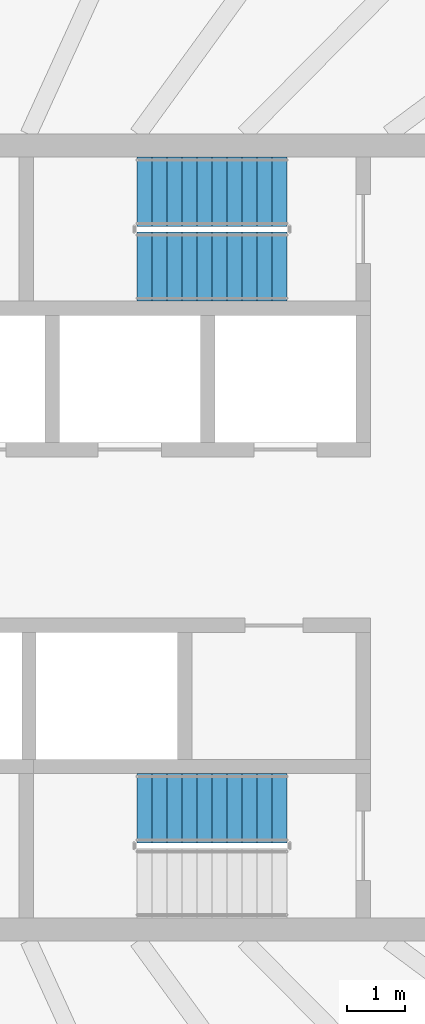
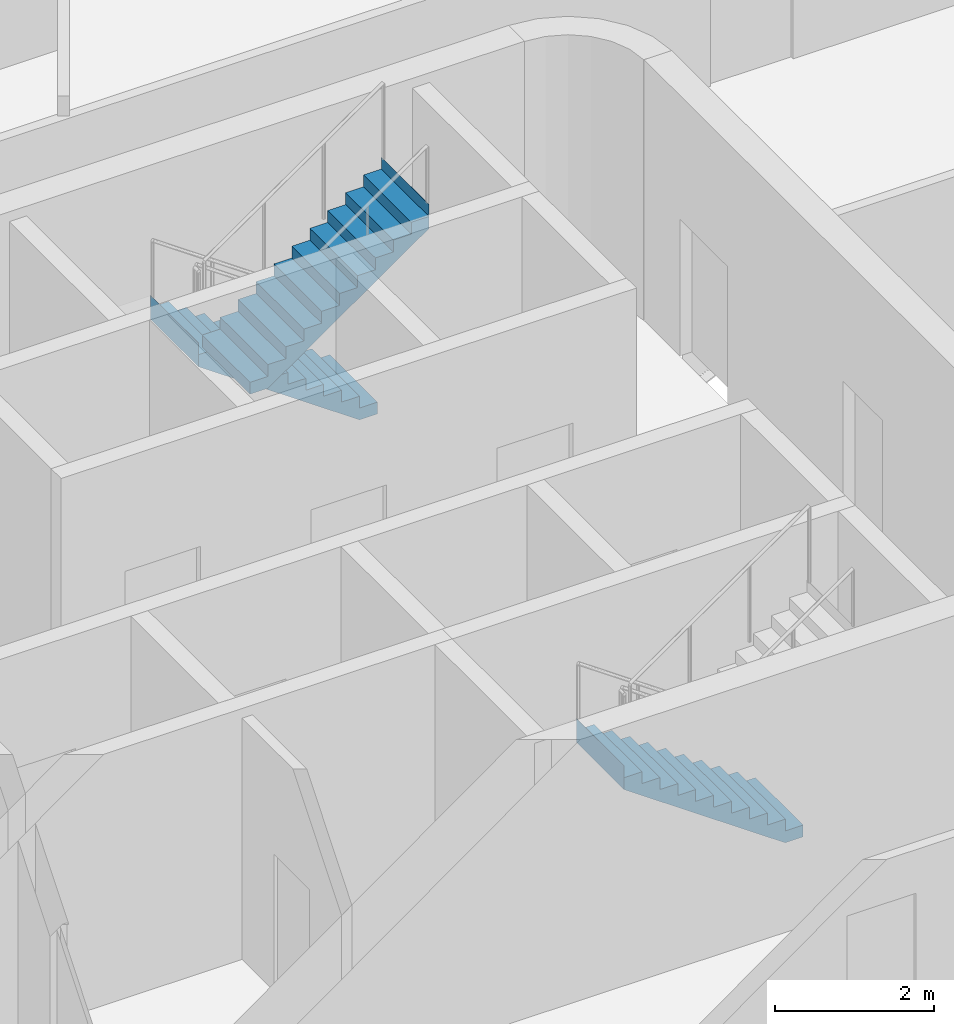
# One storey, part 14 of 19: 3 stair flights, 2 elements without a shape of their own.
"""IFC4 building model written with IfcOpenShell, lengths in metres."""

from ifc_helpers import new_model, si_unit, direction, frame, origin, place, context, subcontext, project, spatial, triangles, material, type_object, element, aggregate, save


model = new_model("IFC4")

# Units and contexts
model_context = context("Model", 3, precision=1e-05, world=origin(), true_north=direction((0.0, 1.0)))
body_context = subcontext(model_context, "Body", "Model", "MODEL_VIEW")
ifc_project = project(units=[si_unit("LENGTHUNIT", "METRE"), si_unit("AREAUNIT", "SQUARE_METRE"), si_unit("VOLUMEUNIT", "CUBIC_METRE"), si_unit("PLANEANGLEUNIT", "RADIAN"), si_unit("MASSUNIT", "GRAM", prefix="KILO")], contexts=[model_context])

# Site, building, storey
site_placement = place(None, origin())
site = spatial("IfcSite", under=ifc_project, at=site_placement, CompositionType="ELEMENT")
building_placement = place(site_placement, origin())
building = spatial("IfcBuilding", under=site, at=building_placement, Name="Sahrelin Media Tower", CompositionType="ELEMENT")
storey_placement = place(building_placement, frame((0.0, 0.0, 241.60009765625)))
storey = spatial("IfcBuildingStorey", under=building, at=storey_placement, Name="L52", CompositionType="ELEMENT", Elevation=241.60009765625)

# Stair, stair flights
ifc_material = material(Name="Concrete C40/50", Category="concrete")
stair_type = type_object("IfcStairType", Name="Exit stair 1200", PredefinedType="HALF_TURN_STAIR", material=ifc_material)
placement = place(storey_placement, origin())
stair_1 = element("IfcStair", 1, at=placement, inside=storey, type_object=stair_type, Name="L52 Exit stair ST3", PredefinedType="HALF_TURN_STAIR")
stair_flight_type = type_object("IfcStairFlightType", Name="Stair flight 1200", PredefinedType="STRAIGHT", material=ifc_material)
stair_flight_1_placement = place(storey_placement, frame((7.675048828125, 6.0, 0.0), z_axis=(0.0, 0.0, 1.0), x_axis=(-1.0, 0.0, 0.0)))
stair_flight_1 = element("IfcStairFlight", 2, at=stair_flight_1_placement, type_object=stair_flight_type, Name="ST3 flight 1", NumberOfRisers=11, NumberOfTreads=10, PredefinedType="STRAIGHT", RiserHeight=0.181818182, TreadLength=0.26, context=body_context, shape_type="Tessellation", body=[
    triangles([(0.261474609375, 0.60009765625, 0.0), (0.261474609375, 0.300048828125, 0.0), (0.261474609375, 0.0, 0.0), (0.261474609375, -0.300048828125, 0.0), (0.261474609375, -0.60009765625, 0.0), (2.60009765625, 0.60009765625, 1.63525390625), (2.60009765625, 0.300048828125, 1.63525390625), (2.60009765625, 0.0, 1.63525390625), (2.60009765625, -0.300048828125, 1.63525390625), (2.60009765625, -0.60009765625, 1.63525390625), (2.60009765625, 0.60009765625, 2.0), (2.60009765625, 0.300048828125, 2.0), (2.60009765625, 0.0, 2.0), (2.60009765625, -0.300048828125, 2.0), (2.60009765625, -0.60009765625, 2.0), (2.597900390625, 0.60009765625, 2.0), (2.597900390625, 0.300048828125, 2.0), (2.597900390625, 0.0, 2.0), (2.597900390625, -0.300048828125, 2.0), (2.597900390625, -0.60009765625, 2.0), (2.597900390625, 0.60009765625, 1.818115234375), (2.597900390625, 0.300048828125, 1.818115234375), (2.597900390625, 0.0, 1.818115234375), (2.597900390625, -0.300048828125, 1.818115234375), (2.597900390625, -0.60009765625, 1.818115234375), (2.340087890625, 0.60009765625, 1.818115234375), (2.340087890625, 0.300048828125, 1.818115234375), (2.340087890625, 0.0, 1.818115234375), (2.340087890625, -0.300048828125, 1.818115234375), (2.340087890625, -0.60009765625, 1.818115234375), (2.340087890625, 0.60009765625, 1.636474609375), (2.340087890625, 0.300048828125, 1.636474609375), (2.340087890625, 0.0, 1.636474609375), (2.340087890625, -0.300048828125, 1.636474609375), (2.340087890625, -0.60009765625, 1.636474609375), (2.080078125, 0.60009765625, 1.636474609375), (2.080078125, 0.300048828125, 1.636474609375), (2.080078125, 0.0, 1.636474609375), (2.080078125, -0.300048828125, 1.636474609375), (2.080078125, -0.60009765625, 1.636474609375), (2.080078125, 0.60009765625, 1.45458984375), (2.080078125, 0.300048828125, 1.45458984375), (2.080078125, 0.0, 1.45458984375), (2.080078125, -0.300048828125, 1.45458984375), (2.080078125, -0.60009765625, 1.45458984375), (1.820068359375, 0.60009765625, 1.45458984375), (1.820068359375, 0.300048828125, 1.45458984375), (1.820068359375, 0.0, 1.45458984375), (1.820068359375, -0.300048828125, 1.45458984375), (1.820068359375, -0.60009765625, 1.45458984375), (1.820068359375, 0.60009765625, 1.272705078125), (1.820068359375, 0.300048828125, 1.272705078125), (1.820068359375, 0.0, 1.272705078125), (1.820068359375, -0.300048828125, 1.272705078125), (1.820068359375, -0.60009765625, 1.272705078125), (1.56005859375, 0.60009765625, 1.272705078125), (1.56005859375, 0.300048828125, 1.272705078125), (1.56005859375, 0.0, 1.272705078125), (1.56005859375, -0.300048828125, 1.272705078125), (1.56005859375, -0.60009765625, 1.272705078125), (1.56005859375, 0.60009765625, 1.0908203125), (1.56005859375, 0.300048828125, 1.0908203125), (1.56005859375, 0.0, 1.0908203125), (1.56005859375, -0.300048828125, 1.0908203125), (1.56005859375, -0.60009765625, 1.0908203125), (1.300048828125, 0.60009765625, 1.0908203125), (1.300048828125, 0.300048828125, 1.0908203125), (1.300048828125, 0.0, 1.0908203125), (1.300048828125, -0.300048828125, 1.0908203125), (1.300048828125, -0.60009765625, 1.0908203125), (1.300048828125, 0.60009765625, 0.9091796875), (1.300048828125, 0.300048828125, 0.9091796875), (1.300048828125, 0.0, 0.9091796875), (1.300048828125, -0.300048828125, 0.9091796875), (1.300048828125, -0.60009765625, 0.9091796875), (1.0400390625, 0.60009765625, 0.9091796875), (1.0400390625, 0.300048828125, 0.9091796875), (1.0400390625, 0.0, 0.9091796875), (1.0400390625, -0.300048828125, 0.9091796875), (1.0400390625, -0.60009765625, 0.9091796875), (1.0400390625, 0.60009765625, 0.727294921875), (1.0400390625, 0.300048828125, 0.727294921875), (1.0400390625, 0.0, 0.727294921875), (1.0400390625, -0.300048828125, 0.727294921875), (1.0400390625, -0.60009765625, 0.727294921875), (0.780029296875, 0.60009765625, 0.727294921875), (0.780029296875, 0.300048828125, 0.727294921875), (0.780029296875, 0.0, 0.727294921875), (0.780029296875, -0.300048828125, 0.727294921875), (0.780029296875, -0.60009765625, 0.727294921875), (0.780029296875, 0.60009765625, 0.54541015625), (0.780029296875, 0.300048828125, 0.54541015625), (0.780029296875, 0.0, 0.54541015625), (0.780029296875, -0.300048828125, 0.54541015625), (0.780029296875, -0.60009765625, 0.54541015625), (0.52001953125, 0.60009765625, 0.54541015625), (0.52001953125, 0.300048828125, 0.54541015625), (0.52001953125, 0.0, 0.54541015625), (0.52001953125, -0.300048828125, 0.54541015625), (0.52001953125, -0.60009765625, 0.54541015625), (0.52001953125, 0.60009765625, 0.363525390625), (0.52001953125, 0.300048828125, 0.363525390625), (0.52001953125, 0.0, 0.363525390625), (0.52001953125, -0.300048828125, 0.363525390625), (0.52001953125, -0.60009765625, 0.363525390625), (0.260009765625, 0.60009765625, 0.363525390625), (0.260009765625, 0.300048828125, 0.363525390625), (0.260009765625, 0.0, 0.363525390625), (0.260009765625, -0.300048828125, 0.363525390625), (0.260009765625, -0.60009765625, 0.363525390625), (0.260009765625, 0.60009765625, 0.181884765625), (0.260009765625, 0.300048828125, 0.181884765625), (0.260009765625, 0.0, 0.181884765625), (0.260009765625, -0.300048828125, 0.181884765625), (0.260009765625, -0.60009765625, 0.181884765625), (0.0, 0.60009765625, 0.181884765625), (0.0, 0.300048828125, 0.181884765625), (0.0, 0.0, 0.181884765625), (0.0, -0.300048828125, 0.181884765625), (0.0, -0.60009765625, 0.181884765625), (0.0, 0.60009765625, 0.0), (0.0, 0.300048828125, 0.0), (0.0, 0.0, 0.0), (0.0, -0.300048828125, 0.0), (0.0, -0.60009765625, 0.0)], [[1, 6, 7], [1, 7, 2], [2, 7, 8], [2, 8, 3], [3, 8, 9], [3, 9, 4], [4, 9, 10], [4, 10, 5], [6, 11, 12], [6, 12, 7], [7, 12, 13], [7, 13, 8], [8, 13, 14], [8, 14, 9], [9, 14, 15], [9, 15, 10], [11, 16, 17], [11, 17, 12], [12, 17, 18], [12, 18, 13], [13, 18, 19], [13, 19, 14], [14, 19, 20], [14, 20, 15], [16, 21, 22], [16, 22, 17], [17, 22, 23], [17, 23, 18], [18, 23, 24], [18, 24, 19], [19, 24, 25], [19, 25, 20], [21, 26, 27], [21, 27, 22], [22, 27, 28], [22, 28, 23], [23, 28, 29], [23, 29, 24], [24, 29, 30], [24, 30, 25], [26, 31, 32], [26, 32, 27], [27, 32, 33], [27, 33, 28], [28, 33, 34], [28, 34, 29], [29, 34, 35], [29, 35, 30], [31, 36, 37], [31, 37, 32], [32, 37, 38], [32, 38, 33], [33, 38, 39], [33, 39, 34], [34, 39, 40], [34, 40, 35], [36, 41, 42], [36, 42, 37], [37, 42, 43], [37, 43, 38], [38, 43, 44], [38, 44, 39], [39, 44, 45], [39, 45, 40], [41, 46, 47], [41, 47, 42], [42, 47, 48], [42, 48, 43], [43, 48, 49], [43, 49, 44], [44, 49, 50], [44, 50, 45], [46, 51, 52], [46, 52, 47], [47, 52, 53], [47, 53, 48], [48, 53, 54], [48, 54, 49], [49, 54, 55], [49, 55, 50], [51, 56, 57], [51, 57, 52], [52, 57, 58], [52, 58, 53], [53, 58, 59], [53, 59, 54], [54, 59, 60], [54, 60, 55], [56, 61, 62], [56, 62, 57], [57, 62, 63], [57, 63, 58], [58, 63, 64], [58, 64, 59], [59, 64, 65], [59, 65, 60], [61, 66, 67], [61, 67, 62], [62, 67, 68], [62, 68, 63], [63, 68, 69], [63, 69, 64], [64, 69, 70], [64, 70, 65], [66, 71, 72], [66, 72, 67], [67, 72, 73], [67, 73, 68], [68, 73, 74], [68, 74, 69], [69, 74, 75], [69, 75, 70], [71, 76, 77], [71, 77, 72], [72, 77, 78], [72, 78, 73], [73, 78, 79], [73, 79, 74], [74, 79, 80], [74, 80, 75], [76, 81, 82], [76, 82, 77], [77, 82, 83], [77, 83, 78], [78, 83, 84], [78, 84, 79], [79, 84, 85], [79, 85, 80], [81, 86, 87], [81, 87, 82], [82, 87, 88], [82, 88, 83], [83, 88, 89], [83, 89, 84], [84, 89, 90], [84, 90, 85], [86, 91, 92], [86, 92, 87], [87, 92, 93], [87, 93, 88], [88, 93, 94], [88, 94, 89], [89, 94, 95], [89, 95, 90], [91, 96, 97], [91, 97, 92], [92, 97, 98], [92, 98, 93], [93, 98, 99], [93, 99, 94], [94, 99, 100], [94, 100, 95], [96, 101, 102], [96, 102, 97], [97, 102, 103], [97, 103, 98], [98, 103, 104], [98, 104, 99], [99, 104, 105], [99, 105, 100], [101, 106, 107], [101, 107, 102], [102, 107, 108], [102, 108, 103], [103, 108, 109], [103, 109, 104], [104, 109, 110], [104, 110, 105], [106, 111, 112], [106, 112, 107], [107, 112, 113], [107, 113, 108], [108, 113, 114], [108, 114, 109], [109, 114, 115], [109, 115, 110], [111, 116, 117], [111, 117, 112], [112, 117, 118], [112, 118, 113], [113, 118, 119], [113, 119, 114], [114, 119, 120], [114, 120, 115], [116, 121, 122], [116, 122, 117], [117, 122, 123], [117, 123, 118], [118, 123, 124], [118, 124, 119], [119, 124, 125], [119, 125, 120], [121, 1, 2], [121, 2, 122], [122, 2, 3], [122, 3, 123], [123, 3, 4], [123, 4, 124], [124, 4, 5], [124, 5, 125], [115, 120, 125], [111, 121, 116], [115, 105, 110], [111, 106, 101], [105, 95, 100], [101, 96, 91], [95, 85, 90], [91, 86, 81], [85, 75, 80], [81, 76, 71], [75, 65, 70], [71, 66, 61], [65, 55, 60], [61, 56, 51], [55, 45, 50], [51, 46, 41], [45, 35, 40], [41, 36, 31], [35, 25, 30], [31, 26, 21], [25, 15, 20], [21, 16, 11], [125, 5, 115], [121, 111, 1], [25, 10, 15], [21, 11, 6], [105, 115, 5], [101, 1, 111], [35, 10, 25], [31, 21, 6], [95, 105, 5], [91, 1, 101], [45, 10, 35], [41, 31, 6], [85, 95, 5], [81, 1, 91], [55, 10, 45], [51, 41, 6], [75, 85, 5], [71, 1, 81], [65, 10, 55], [61, 51, 6], [5, 10, 75], [1, 71, 6], [75, 10, 65], [71, 61, 6]], closed=True),
])
stair_flight_2_placement = place(storey_placement, frame((5.074951171875, 4.699951171875, 2.0), z_axis=(0.0, 0.0, 1.0), x_axis=(1.0, 0.0, 0.0)))
stair_flight_2 = element("IfcStairFlight", 3, at=stair_flight_2_placement, type_object=stair_flight_type, Name="ST3 flight 2", NumberOfRisers=11, NumberOfTreads=10, PredefinedType="STRAIGHT", RiserHeight=0.181818182, TreadLength=0.26, context=body_context, shape_type="Tessellation", body=[
    triangles([(0.261474609375, 0.60009765625, 0.0), (0.261474609375, 0.300048828125, 0.0), (0.261474609375, 0.0, 0.0), (0.261474609375, -0.300048828125, 0.0), (0.261474609375, -0.60009765625, 0.0), (2.60009765625, 0.60009765625, 1.63525390625), (2.60009765625, 0.300048828125, 1.63525390625), (2.60009765625, 0.0, 1.63525390625), (2.60009765625, -0.300048828125, 1.63525390625), (2.60009765625, -0.60009765625, 1.63525390625), (2.60009765625, 0.60009765625, 2.0), (2.60009765625, 0.300048828125, 2.0), (2.60009765625, 0.0, 2.0), (2.60009765625, -0.300048828125, 2.0), (2.60009765625, -0.60009765625, 2.0), (2.597900390625, 0.60009765625, 2.0), (2.597900390625, 0.300048828125, 2.0), (2.597900390625, 0.0, 2.0), (2.597900390625, -0.300048828125, 2.0), (2.597900390625, -0.60009765625, 2.0), (2.597900390625, 0.60009765625, 1.818115234375), (2.597900390625, 0.300048828125, 1.818115234375), (2.597900390625, 0.0, 1.818115234375), (2.597900390625, -0.300048828125, 1.818115234375), (2.597900390625, -0.60009765625, 1.818115234375), (2.340087890625, 0.60009765625, 1.818115234375), (2.340087890625, 0.300048828125, 1.818115234375), (2.340087890625, 0.0, 1.818115234375), (2.340087890625, -0.300048828125, 1.818115234375), (2.340087890625, -0.60009765625, 1.818115234375), (2.340087890625, 0.60009765625, 1.636474609375), (2.340087890625, 0.300048828125, 1.636474609375), (2.340087890625, 0.0, 1.636474609375), (2.340087890625, -0.300048828125, 1.636474609375), (2.340087890625, -0.60009765625, 1.636474609375), (2.080078125, 0.60009765625, 1.636474609375), (2.080078125, 0.300048828125, 1.636474609375), (2.080078125, 0.0, 1.636474609375), (2.080078125, -0.300048828125, 1.636474609375), (2.080078125, -0.60009765625, 1.636474609375), (2.080078125, 0.60009765625, 1.45458984375), (2.080078125, 0.300048828125, 1.45458984375), (2.080078125, 0.0, 1.45458984375), (2.080078125, -0.300048828125, 1.45458984375), (2.080078125, -0.60009765625, 1.45458984375), (1.820068359375, 0.60009765625, 1.45458984375), (1.820068359375, 0.300048828125, 1.45458984375), (1.820068359375, 0.0, 1.45458984375), (1.820068359375, -0.300048828125, 1.45458984375), (1.820068359375, -0.60009765625, 1.45458984375), (1.820068359375, 0.60009765625, 1.272705078125), (1.820068359375, 0.300048828125, 1.272705078125), (1.820068359375, 0.0, 1.272705078125), (1.820068359375, -0.300048828125, 1.272705078125), (1.820068359375, -0.60009765625, 1.272705078125), (1.56005859375, 0.60009765625, 1.272705078125), (1.56005859375, 0.300048828125, 1.272705078125), (1.56005859375, 0.0, 1.272705078125), (1.56005859375, -0.300048828125, 1.272705078125), (1.56005859375, -0.60009765625, 1.272705078125), (1.56005859375, 0.60009765625, 1.0908203125), (1.56005859375, 0.300048828125, 1.0908203125), (1.56005859375, 0.0, 1.0908203125), (1.56005859375, -0.300048828125, 1.0908203125), (1.56005859375, -0.60009765625, 1.0908203125), (1.300048828125, 0.60009765625, 1.0908203125), (1.300048828125, 0.300048828125, 1.0908203125), (1.300048828125, 0.0, 1.0908203125), (1.300048828125, -0.300048828125, 1.0908203125), (1.300048828125, -0.60009765625, 1.0908203125), (1.300048828125, 0.60009765625, 0.9091796875), (1.300048828125, 0.300048828125, 0.9091796875), (1.300048828125, 0.0, 0.9091796875), (1.300048828125, -0.300048828125, 0.9091796875), (1.300048828125, -0.60009765625, 0.9091796875), (1.0400390625, 0.60009765625, 0.9091796875), (1.0400390625, 0.300048828125, 0.9091796875), (1.0400390625, 0.0, 0.9091796875), (1.0400390625, -0.300048828125, 0.9091796875), (1.0400390625, -0.60009765625, 0.9091796875), (1.0400390625, 0.60009765625, 0.727294921875), (1.0400390625, 0.300048828125, 0.727294921875), (1.0400390625, 0.0, 0.727294921875), (1.0400390625, -0.300048828125, 0.727294921875), (1.0400390625, -0.60009765625, 0.727294921875), (0.780029296875, 0.60009765625, 0.727294921875), (0.780029296875, 0.300048828125, 0.727294921875), (0.780029296875, 0.0, 0.727294921875), (0.780029296875, -0.300048828125, 0.727294921875), (0.780029296875, -0.60009765625, 0.727294921875), (0.780029296875, 0.60009765625, 0.54541015625), (0.780029296875, 0.300048828125, 0.54541015625), (0.780029296875, 0.0, 0.54541015625), (0.780029296875, -0.300048828125, 0.54541015625), (0.780029296875, -0.60009765625, 0.54541015625), (0.52001953125, 0.60009765625, 0.54541015625), (0.52001953125, 0.300048828125, 0.54541015625), (0.52001953125, 0.0, 0.54541015625), (0.52001953125, -0.300048828125, 0.54541015625), (0.52001953125, -0.60009765625, 0.54541015625), (0.52001953125, 0.60009765625, 0.363525390625), (0.52001953125, 0.300048828125, 0.363525390625), (0.52001953125, 0.0, 0.363525390625), (0.52001953125, -0.300048828125, 0.363525390625), (0.52001953125, -0.60009765625, 0.363525390625), (0.260009765625, 0.60009765625, 0.363525390625), (0.260009765625, 0.300048828125, 0.363525390625), (0.260009765625, 0.0, 0.363525390625), (0.260009765625, -0.300048828125, 0.363525390625), (0.260009765625, -0.60009765625, 0.363525390625), (0.260009765625, 0.60009765625, 0.181884765625), (0.260009765625, 0.300048828125, 0.181884765625), (0.260009765625, 0.0, 0.181884765625), (0.260009765625, -0.300048828125, 0.181884765625), (0.260009765625, -0.60009765625, 0.181884765625), (0.0, 0.60009765625, 0.181884765625), (0.0, 0.300048828125, 0.181884765625), (0.0, 0.0, 0.181884765625), (0.0, -0.300048828125, 0.181884765625), (0.0, -0.60009765625, 0.181884765625), (0.0, 0.60009765625, 0.0), (0.0, 0.300048828125, 0.0), (0.0, 0.0, 0.0), (0.0, -0.300048828125, 0.0), (0.0, -0.60009765625, 0.0)], [[1, 6, 7], [1, 7, 2], [2, 7, 8], [2, 8, 3], [3, 8, 9], [3, 9, 4], [4, 9, 10], [4, 10, 5], [6, 11, 12], [6, 12, 7], [7, 12, 13], [7, 13, 8], [8, 13, 14], [8, 14, 9], [9, 14, 15], [9, 15, 10], [11, 16, 17], [11, 17, 12], [12, 17, 18], [12, 18, 13], [13, 18, 19], [13, 19, 14], [14, 19, 20], [14, 20, 15], [16, 21, 22], [16, 22, 17], [17, 22, 23], [17, 23, 18], [18, 23, 24], [18, 24, 19], [19, 24, 25], [19, 25, 20], [21, 26, 27], [21, 27, 22], [22, 27, 28], [22, 28, 23], [23, 28, 29], [23, 29, 24], [24, 29, 30], [24, 30, 25], [26, 31, 32], [26, 32, 27], [27, 32, 33], [27, 33, 28], [28, 33, 34], [28, 34, 29], [29, 34, 35], [29, 35, 30], [31, 36, 37], [31, 37, 32], [32, 37, 38], [32, 38, 33], [33, 38, 39], [33, 39, 34], [34, 39, 40], [34, 40, 35], [36, 41, 42], [36, 42, 37], [37, 42, 43], [37, 43, 38], [38, 43, 44], [38, 44, 39], [39, 44, 45], [39, 45, 40], [41, 46, 47], [41, 47, 42], [42, 47, 48], [42, 48, 43], [43, 48, 49], [43, 49, 44], [44, 49, 50], [44, 50, 45], [46, 51, 52], [46, 52, 47], [47, 52, 53], [47, 53, 48], [48, 53, 54], [48, 54, 49], [49, 54, 55], [49, 55, 50], [51, 56, 57], [51, 57, 52], [52, 57, 58], [52, 58, 53], [53, 58, 59], [53, 59, 54], [54, 59, 60], [54, 60, 55], [56, 61, 62], [56, 62, 57], [57, 62, 63], [57, 63, 58], [58, 63, 64], [58, 64, 59], [59, 64, 65], [59, 65, 60], [61, 66, 67], [61, 67, 62], [62, 67, 68], [62, 68, 63], [63, 68, 69], [63, 69, 64], [64, 69, 70], [64, 70, 65], [66, 71, 72], [66, 72, 67], [67, 72, 73], [67, 73, 68], [68, 73, 74], [68, 74, 69], [69, 74, 75], [69, 75, 70], [71, 76, 77], [71, 77, 72], [72, 77, 78], [72, 78, 73], [73, 78, 79], [73, 79, 74], [74, 79, 80], [74, 80, 75], [76, 81, 82], [76, 82, 77], [77, 82, 83], [77, 83, 78], [78, 83, 84], [78, 84, 79], [79, 84, 85], [79, 85, 80], [81, 86, 87], [81, 87, 82], [82, 87, 88], [82, 88, 83], [83, 88, 89], [83, 89, 84], [84, 89, 90], [84, 90, 85], [86, 91, 92], [86, 92, 87], [87, 92, 93], [87, 93, 88], [88, 93, 94], [88, 94, 89], [89, 94, 95], [89, 95, 90], [91, 96, 97], [91, 97, 92], [92, 97, 98], [92, 98, 93], [93, 98, 99], [93, 99, 94], [94, 99, 100], [94, 100, 95], [96, 101, 102], [96, 102, 97], [97, 102, 103], [97, 103, 98], [98, 103, 104], [98, 104, 99], [99, 104, 105], [99, 105, 100], [101, 106, 107], [101, 107, 102], [102, 107, 108], [102, 108, 103], [103, 108, 109], [103, 109, 104], [104, 109, 110], [104, 110, 105], [106, 111, 112], [106, 112, 107], [107, 112, 113], [107, 113, 108], [108, 113, 114], [108, 114, 109], [109, 114, 115], [109, 115, 110], [111, 116, 117], [111, 117, 112], [112, 117, 118], [112, 118, 113], [113, 118, 119], [113, 119, 114], [114, 119, 120], [114, 120, 115], [116, 121, 122], [116, 122, 117], [117, 122, 123], [117, 123, 118], [118, 123, 124], [118, 124, 119], [119, 124, 125], [119, 125, 120], [121, 1, 2], [121, 2, 122], [122, 2, 3], [122, 3, 123], [123, 3, 4], [123, 4, 124], [124, 4, 5], [124, 5, 125], [115, 120, 125], [111, 121, 116], [115, 105, 110], [111, 106, 101], [105, 95, 100], [101, 96, 91], [95, 85, 90], [91, 86, 81], [85, 75, 80], [81, 76, 71], [75, 65, 70], [71, 66, 61], [65, 55, 60], [61, 56, 51], [55, 45, 50], [51, 46, 41], [45, 35, 40], [41, 36, 31], [35, 25, 30], [31, 26, 21], [25, 15, 20], [21, 16, 11], [125, 5, 115], [121, 111, 1], [25, 10, 15], [21, 11, 6], [105, 115, 5], [101, 1, 111], [35, 10, 25], [31, 21, 6], [95, 105, 5], [91, 1, 101], [45, 10, 35], [41, 31, 6], [85, 95, 5], [81, 1, 91], [55, 10, 45], [51, 41, 6], [75, 85, 5], [71, 1, 81], [65, 10, 55], [61, 51, 6], [5, 10, 75], [1, 71, 6], [75, 10, 65], [71, 61, 6]], closed=True),
])
aggregate(stair_1, [stair_flight_1, stair_flight_2])

# Stair, stair flight
stair_2 = element("IfcStair", 4, at=placement, inside=storey, type_object=stair_type, Name="L52 Exit stair ST2", PredefinedType="HALF_TURN_STAIR")
stair_flight_3_placement = place(storey_placement, frame((7.675048828125, -4.699951171875, 0.0), z_axis=(0.0, 0.0, 1.0), x_axis=(-1.0, 0.0, 0.0)))
stair_flight_3 = element("IfcStairFlight", 5, at=stair_flight_3_placement, type_object=stair_flight_type, Name="ST2 flight 1", NumberOfRisers=11, NumberOfTreads=10, PredefinedType="STRAIGHT", RiserHeight=0.181818182, TreadLength=0.26, context=body_context, shape_type="Tessellation", body=[
    triangles([(0.261474609375, 0.60009765625, 0.0), (0.261474609375, 0.300048828125, 0.0), (0.261474609375, 0.0, 0.0), (0.261474609375, -0.300048828125, 0.0), (0.261474609375, -0.60009765625, 0.0), (2.60009765625, 0.60009765625, 1.63525390625), (2.60009765625, 0.300048828125, 1.63525390625), (2.60009765625, 0.0, 1.63525390625), (2.60009765625, -0.300048828125, 1.63525390625), (2.60009765625, -0.60009765625, 1.63525390625), (2.60009765625, 0.60009765625, 2.0), (2.60009765625, 0.300048828125, 2.0), (2.60009765625, 0.0, 2.0), (2.60009765625, -0.300048828125, 2.0), (2.60009765625, -0.60009765625, 2.0), (2.597900390625, 0.60009765625, 2.0), (2.597900390625, 0.300048828125, 2.0), (2.597900390625, 0.0, 2.0), (2.597900390625, -0.300048828125, 2.0), (2.597900390625, -0.60009765625, 2.0), (2.597900390625, 0.60009765625, 1.818115234375), (2.597900390625, 0.300048828125, 1.818115234375), (2.597900390625, 0.0, 1.818115234375), (2.597900390625, -0.300048828125, 1.818115234375), (2.597900390625, -0.60009765625, 1.818115234375), (2.340087890625, 0.60009765625, 1.818115234375), (2.340087890625, 0.300048828125, 1.818115234375), (2.340087890625, 0.0, 1.818115234375), (2.340087890625, -0.300048828125, 1.818115234375), (2.340087890625, -0.60009765625, 1.818115234375), (2.340087890625, 0.60009765625, 1.636474609375), (2.340087890625, 0.300048828125, 1.636474609375), (2.340087890625, 0.0, 1.636474609375), (2.340087890625, -0.300048828125, 1.636474609375), (2.340087890625, -0.60009765625, 1.636474609375), (2.080078125, 0.60009765625, 1.636474609375), (2.080078125, 0.300048828125, 1.636474609375), (2.080078125, 0.0, 1.636474609375), (2.080078125, -0.300048828125, 1.636474609375), (2.080078125, -0.60009765625, 1.636474609375), (2.080078125, 0.60009765625, 1.45458984375), (2.080078125, 0.300048828125, 1.45458984375), (2.080078125, 0.0, 1.45458984375), (2.080078125, -0.300048828125, 1.45458984375), (2.080078125, -0.60009765625, 1.45458984375), (1.820068359375, 0.60009765625, 1.45458984375), (1.820068359375, 0.300048828125, 1.45458984375), (1.820068359375, 0.0, 1.45458984375), (1.820068359375, -0.300048828125, 1.45458984375), (1.820068359375, -0.60009765625, 1.45458984375), (1.820068359375, 0.60009765625, 1.272705078125), (1.820068359375, 0.300048828125, 1.272705078125), (1.820068359375, 0.0, 1.272705078125), (1.820068359375, -0.300048828125, 1.272705078125), (1.820068359375, -0.60009765625, 1.272705078125), (1.56005859375, 0.60009765625, 1.272705078125), (1.56005859375, 0.300048828125, 1.272705078125), (1.56005859375, 0.0, 1.272705078125), (1.56005859375, -0.300048828125, 1.272705078125), (1.56005859375, -0.60009765625, 1.272705078125), (1.56005859375, 0.60009765625, 1.0908203125), (1.56005859375, 0.300048828125, 1.0908203125), (1.56005859375, 0.0, 1.0908203125), (1.56005859375, -0.300048828125, 1.0908203125), (1.56005859375, -0.60009765625, 1.0908203125), (1.300048828125, 0.60009765625, 1.0908203125), (1.300048828125, 0.300048828125, 1.0908203125), (1.300048828125, 0.0, 1.0908203125), (1.300048828125, -0.300048828125, 1.0908203125), (1.300048828125, -0.60009765625, 1.0908203125), (1.300048828125, 0.60009765625, 0.9091796875), (1.300048828125, 0.300048828125, 0.9091796875), (1.300048828125, 0.0, 0.9091796875), (1.300048828125, -0.300048828125, 0.9091796875), (1.300048828125, -0.60009765625, 0.9091796875), (1.0400390625, 0.60009765625, 0.9091796875), (1.0400390625, 0.300048828125, 0.9091796875), (1.0400390625, 0.0, 0.9091796875), (1.0400390625, -0.300048828125, 0.9091796875), (1.0400390625, -0.60009765625, 0.9091796875), (1.0400390625, 0.60009765625, 0.727294921875), (1.0400390625, 0.300048828125, 0.727294921875), (1.0400390625, 0.0, 0.727294921875), (1.0400390625, -0.300048828125, 0.727294921875), (1.0400390625, -0.60009765625, 0.727294921875), (0.780029296875, 0.60009765625, 0.727294921875), (0.780029296875, 0.300048828125, 0.727294921875), (0.780029296875, 0.0, 0.727294921875), (0.780029296875, -0.300048828125, 0.727294921875), (0.780029296875, -0.60009765625, 0.727294921875), (0.780029296875, 0.60009765625, 0.54541015625), (0.780029296875, 0.300048828125, 0.54541015625), (0.780029296875, 0.0, 0.54541015625), (0.780029296875, -0.300048828125, 0.54541015625), (0.780029296875, -0.60009765625, 0.54541015625), (0.52001953125, 0.60009765625, 0.54541015625), (0.52001953125, 0.300048828125, 0.54541015625), (0.52001953125, 0.0, 0.54541015625), (0.52001953125, -0.300048828125, 0.54541015625), (0.52001953125, -0.60009765625, 0.54541015625), (0.52001953125, 0.60009765625, 0.363525390625), (0.52001953125, 0.300048828125, 0.363525390625), (0.52001953125, 0.0, 0.363525390625), (0.52001953125, -0.300048828125, 0.363525390625), (0.52001953125, -0.60009765625, 0.363525390625), (0.260009765625, 0.60009765625, 0.363525390625), (0.260009765625, 0.300048828125, 0.363525390625), (0.260009765625, 0.0, 0.363525390625), (0.260009765625, -0.300048828125, 0.363525390625), (0.260009765625, -0.60009765625, 0.363525390625), (0.260009765625, 0.60009765625, 0.181884765625), (0.260009765625, 0.300048828125, 0.181884765625), (0.260009765625, 0.0, 0.181884765625), (0.260009765625, -0.300048828125, 0.181884765625), (0.260009765625, -0.60009765625, 0.181884765625), (0.0, 0.60009765625, 0.181884765625), (0.0, 0.300048828125, 0.181884765625), (0.0, 0.0, 0.181884765625), (0.0, -0.300048828125, 0.181884765625), (0.0, -0.60009765625, 0.181884765625), (0.0, 0.60009765625, 0.0), (0.0, 0.300048828125, 0.0), (0.0, 0.0, 0.0), (0.0, -0.300048828125, 0.0), (0.0, -0.60009765625, 0.0)], [[1, 6, 7], [1, 7, 2], [2, 7, 8], [2, 8, 3], [3, 8, 9], [3, 9, 4], [4, 9, 10], [4, 10, 5], [6, 11, 12], [6, 12, 7], [7, 12, 13], [7, 13, 8], [8, 13, 14], [8, 14, 9], [9, 14, 15], [9, 15, 10], [11, 16, 17], [11, 17, 12], [12, 17, 18], [12, 18, 13], [13, 18, 19], [13, 19, 14], [14, 19, 20], [14, 20, 15], [16, 21, 22], [16, 22, 17], [17, 22, 23], [17, 23, 18], [18, 23, 24], [18, 24, 19], [19, 24, 25], [19, 25, 20], [21, 26, 27], [21, 27, 22], [22, 27, 28], [22, 28, 23], [23, 28, 29], [23, 29, 24], [24, 29, 30], [24, 30, 25], [26, 31, 32], [26, 32, 27], [27, 32, 33], [27, 33, 28], [28, 33, 34], [28, 34, 29], [29, 34, 35], [29, 35, 30], [31, 36, 37], [31, 37, 32], [32, 37, 38], [32, 38, 33], [33, 38, 39], [33, 39, 34], [34, 39, 40], [34, 40, 35], [36, 41, 42], [36, 42, 37], [37, 42, 43], [37, 43, 38], [38, 43, 44], [38, 44, 39], [39, 44, 45], [39, 45, 40], [41, 46, 47], [41, 47, 42], [42, 47, 48], [42, 48, 43], [43, 48, 49], [43, 49, 44], [44, 49, 50], [44, 50, 45], [46, 51, 52], [46, 52, 47], [47, 52, 53], [47, 53, 48], [48, 53, 54], [48, 54, 49], [49, 54, 55], [49, 55, 50], [51, 56, 57], [51, 57, 52], [52, 57, 58], [52, 58, 53], [53, 58, 59], [53, 59, 54], [54, 59, 60], [54, 60, 55], [56, 61, 62], [56, 62, 57], [57, 62, 63], [57, 63, 58], [58, 63, 64], [58, 64, 59], [59, 64, 65], [59, 65, 60], [61, 66, 67], [61, 67, 62], [62, 67, 68], [62, 68, 63], [63, 68, 69], [63, 69, 64], [64, 69, 70], [64, 70, 65], [66, 71, 72], [66, 72, 67], [67, 72, 73], [67, 73, 68], [68, 73, 74], [68, 74, 69], [69, 74, 75], [69, 75, 70], [71, 76, 77], [71, 77, 72], [72, 77, 78], [72, 78, 73], [73, 78, 79], [73, 79, 74], [74, 79, 80], [74, 80, 75], [76, 81, 82], [76, 82, 77], [77, 82, 83], [77, 83, 78], [78, 83, 84], [78, 84, 79], [79, 84, 85], [79, 85, 80], [81, 86, 87], [81, 87, 82], [82, 87, 88], [82, 88, 83], [83, 88, 89], [83, 89, 84], [84, 89, 90], [84, 90, 85], [86, 91, 92], [86, 92, 87], [87, 92, 93], [87, 93, 88], [88, 93, 94], [88, 94, 89], [89, 94, 95], [89, 95, 90], [91, 96, 97], [91, 97, 92], [92, 97, 98], [92, 98, 93], [93, 98, 99], [93, 99, 94], [94, 99, 100], [94, 100, 95], [96, 101, 102], [96, 102, 97], [97, 102, 103], [97, 103, 98], [98, 103, 104], [98, 104, 99], [99, 104, 105], [99, 105, 100], [101, 106, 107], [101, 107, 102], [102, 107, 108], [102, 108, 103], [103, 108, 109], [103, 109, 104], [104, 109, 110], [104, 110, 105], [106, 111, 112], [106, 112, 107], [107, 112, 113], [107, 113, 108], [108, 113, 114], [108, 114, 109], [109, 114, 115], [109, 115, 110], [111, 116, 117], [111, 117, 112], [112, 117, 118], [112, 118, 113], [113, 118, 119], [113, 119, 114], [114, 119, 120], [114, 120, 115], [116, 121, 122], [116, 122, 117], [117, 122, 123], [117, 123, 118], [118, 123, 124], [118, 124, 119], [119, 124, 125], [119, 125, 120], [121, 1, 2], [121, 2, 122], [122, 2, 3], [122, 3, 123], [123, 3, 4], [123, 4, 124], [124, 4, 5], [124, 5, 125], [115, 120, 125], [111, 121, 116], [115, 105, 110], [111, 106, 101], [105, 95, 100], [101, 96, 91], [95, 85, 90], [91, 86, 81], [85, 75, 80], [81, 76, 71], [75, 65, 70], [71, 66, 61], [65, 55, 60], [61, 56, 51], [55, 45, 50], [51, 46, 41], [45, 35, 40], [41, 36, 31], [35, 25, 30], [31, 26, 21], [25, 15, 20], [21, 16, 11], [125, 5, 115], [121, 111, 1], [25, 10, 15], [21, 11, 6], [105, 115, 5], [101, 1, 111], [35, 10, 25], [31, 21, 6], [95, 105, 5], [91, 1, 101], [45, 10, 35], [41, 31, 6], [85, 95, 5], [81, 1, 91], [55, 10, 45], [51, 41, 6], [75, 85, 5], [71, 1, 81], [65, 10, 55], [61, 51, 6], [5, 10, 75], [1, 71, 6], [75, 10, 65], [71, 61, 6]], closed=True),
])
aggregate(stair_2, [stair_flight_3])

save(model, "model.ifc")
